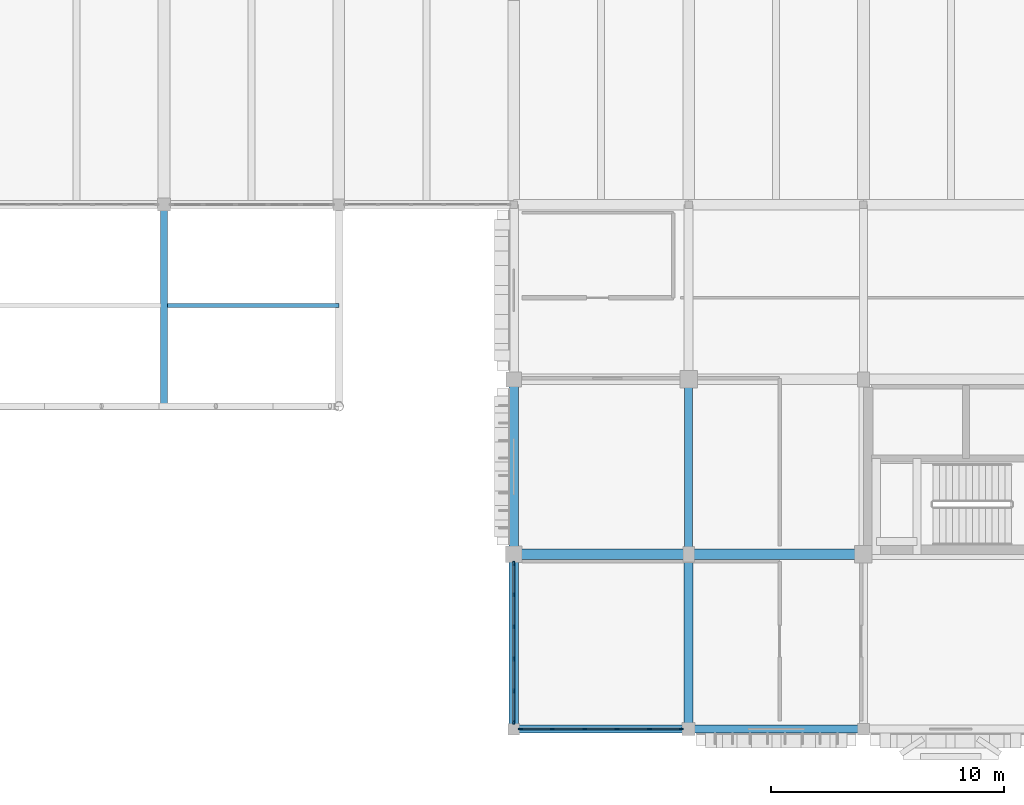
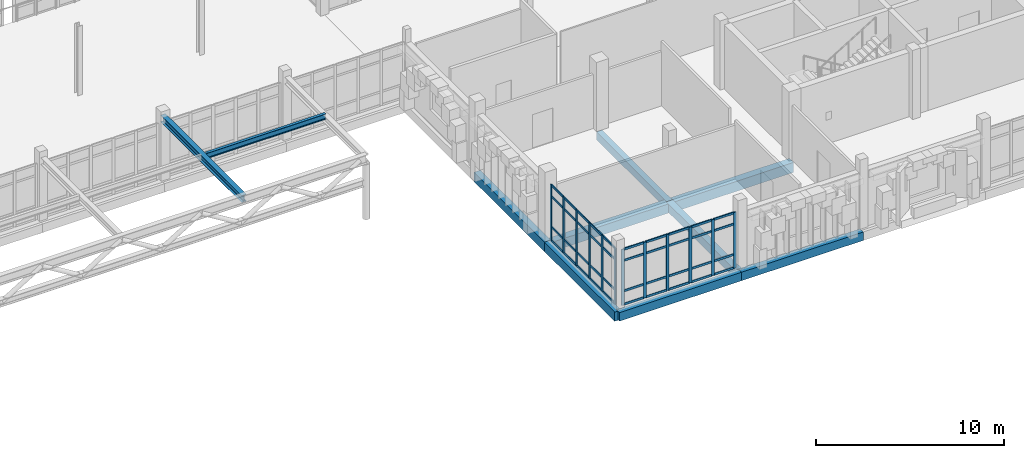
# One storey, part 30 of 128: 52 members, 10 beams, 2 elements without a shape of their own.
"""IFC4 building model written with IfcOpenShell, lengths in metres."""

from ifc_helpers import new_model, si_unit, direction, frame, origin, origin_2d, place, context, subcontext, project, spatial, rectangle, i_section, extrude, material, layer, layer_set, material_profile, profile_set, type_object, element, aggregate, save


model = new_model("IFC4")

# Units and contexts
model_context = context("Model", 3, precision=1e-05, world=origin(), true_north=direction((0.0, 1.0)))
body_context = subcontext(model_context, "Body", "Model", "MODEL_VIEW")
ifc_project = project(units=[si_unit("LENGTHUNIT", "METRE"), si_unit("AREAUNIT", "SQUARE_METRE"), si_unit("VOLUMEUNIT", "CUBIC_METRE"), si_unit("PLANEANGLEUNIT", "RADIAN"), si_unit("MASSUNIT", "GRAM", prefix="KILO")], contexts=[model_context])

# Site, building, storey
site_placement = place(None, origin())
site = spatial("IfcSite", under=ifc_project, at=site_placement, CompositionType="ELEMENT")
building_placement = place(site_placement, origin())
building = spatial("IfcBuilding", under=site, at=building_placement, Name="Dalvernix Boulevard General Hospital", CompositionType="ELEMENT")
storey_placement = place(building_placement, frame((0.0, 0.0, 4.800048828125)))
storey = spatial("IfcBuildingStorey", under=building, at=storey_placement, Name="L01", CompositionType="ELEMENT", Elevation=4.800048828125)

# Beams
ifc_material_1 = material(Name="Concrete C35/45", Category="concrete")
ifc_material_profile_1 = material_profile(ifc_material_1, rectangle(XDim=0.449951171875, YDim=0.64990234375, at=origin_2d()), Name="RCB 450x650")
ifc_profile_set_1 = profile_set([ifc_material_profile_1], Name="Concrete C35/45")
beam_type_1 = type_object("IfcBeamType", Name="BM-B-03-I", PredefinedType="BEAM", material=ifc_profile_set_1)
beam_1_placement = place(storey_placement, frame((120.0, 7.5, -0.625), z_axis=(1.0, 0.0, 0.0), x_axis=(0.0, 1.0, 0.0)))
element("IfcBeam", 1, at=beam_1_placement, inside=storey, type_object=beam_type_1, Name="L01 E-W girder B:17-18", PredefinedType="BEAM", context=body_context, shape_type="SweptSolid", body=[
    extrude(rectangle(XDim=0.449951171875, YDim=0.64990234375, at=origin_2d()), origin(), (0.0, 0.0, 1.0), 7.5),
])
ifc_material_profile_2 = material_profile(ifc_material_1, rectangle(XDim=0.449951171875, YDim=0.60009765625, at=origin_2d()), Name="RCB 450x600")
ifc_profile_set_2 = profile_set([ifc_material_profile_2], Name="Concrete C35/45")
beam_type_2 = type_object("IfcBeamType", Name="BM-B-04-I", PredefinedType="BEAM", material=ifc_profile_set_2)
beam_2_placement = place(storey_placement, frame((112.5, 7.5, -0.60009765625), z_axis=(1.0, 0.0, 0.0), x_axis=(0.0, 1.0, 0.0)))
element("IfcBeam", 2, at=beam_2_placement, inside=storey, type_object=beam_type_2, Name="L01 E-W girder B:16-17", PredefinedType="BEAM", context=body_context, shape_type="SweptSolid", body=[
    extrude(rectangle(XDim=0.449951171875, YDim=0.60009765625, at=origin_2d()), origin(), (0.0, 0.0, 1.0), 7.5),
])
ifc_material_profile_3 = material_profile(ifc_material_1, rectangle(XDim=0.39990234375, YDim=0.550048828125, at=origin_2d()), Name="RCB 400x550")
ifc_profile_set_3 = profile_set([ifc_material_profile_3], Name="Concrete C35/45")
beam_type_3 = type_object("IfcBeamType", Name="BM-B-06-I", PredefinedType="BEAM", material=ifc_profile_set_3)
beam_3_placement = place(storey_placement, frame((120.0, 0.0, -0.574951171875), z_axis=(0.0, 1.0, 0.0), x_axis=(-1.0, 0.0, 0.0)))
element("IfcBeam", 3, at=beam_3_placement, inside=storey, type_object=beam_type_3, Name="L01 N-S girder 17:A-B", PredefinedType="BEAM", context=body_context, shape_type="SweptSolid", body=[
    extrude(rectangle(XDim=0.39990234375, YDim=0.550048828125, at=origin_2d()), origin(), (0.0, 0.0, 1.0), 7.5),
])
ifc_material_profile_4 = material_profile(ifc_material_1, rectangle(XDim=0.35009765625, YDim=0.5, at=origin_2d()), Name="RCB 350x500")
ifc_profile_set_4 = profile_set([ifc_material_profile_4], Name="Concrete C35/45")
beam_type_4 = type_object("IfcBeamType", Name="BM-B-08-I", PredefinedType="BEAM", material=ifc_profile_set_4)
beam_4_placement = place(storey_placement, frame((120.0, 7.5, -0.550048828125), z_axis=(0.0, 1.0, 0.0), x_axis=(-1.0, 0.0, 0.0)))
element("IfcBeam", 4, at=beam_4_placement, inside=storey, type_object=beam_type_4, Name="L01 N-S girder 17:B-C", PredefinedType="BEAM", context=body_context, shape_type="SweptSolid", body=[
    extrude(rectangle(XDim=0.35009765625, YDim=0.5, at=origin_2d()), origin(), (0.0, 0.0, 1.0), 7.5),
])
ifc_material_2 = material(Name="Steel S355", Category="steel")
ifc_material_profile_5 = material_profile(ifc_material_2, i_section(OverallWidth=0.300048828125, OverallDepth=0.449951171875, WebThickness=0.013916015625, FlangeThickness=0.02587890625, FilletRadius=0.027099609375, at=origin_2d()), Name="HEB 450")
ifc_profile_set_5 = profile_set([ifc_material_profile_5], Name="Steel S355")
beam_type_5 = type_object("IfcBeamType", Name="BM-RB-03", PredefinedType="BEAM", material=ifc_profile_set_5)
beam_5_placement = place(storey_placement, frame((97.5, 22.5, 3.8798828125), z_axis=(0.0, -1.0, 0.0), x_axis=(1.0, 0.0, 0.0)))
element("IfcBeam", 5, at=beam_5_placement, inside=storey, type_object=beam_type_5, Name="Porte-cochere canopy girder 5", PredefinedType="BEAM", context=body_context, shape_type="SweptSolid", body=[
    extrude(i_section(OverallWidth=0.300048828125, OverallDepth=0.449951171875, WebThickness=0.013916015625, FlangeThickness=0.02587890625, FilletRadius=0.027099609375, at=origin_2d()), origin(), (0.0, 0.0, 1.0), 8.64990234375),
])
ifc_material_profile_6 = material_profile(ifc_material_2, i_section(OverallWidth=0.169921875, OverallDepth=0.360107421875, WebThickness=0.008056640625, FlangeThickness=0.0126953125, FilletRadius=0.01806640625, at=origin_2d()), Name="IPE 360")
ifc_profile_set_6 = profile_set([ifc_material_profile_6], Name="Steel S355")
beam_type_6 = type_object("IfcBeamType", Name="BM-RB-08", PredefinedType="BEAM", material=ifc_profile_set_6)
beam_6_placement = place(storey_placement, frame((97.64208984375, 18.179931640625, 4.0), z_axis=(1.0, 0.0, 0.0), x_axis=(0.0, 1.0, 0.0)))
element("IfcBeam", 6, at=beam_6_placement, inside=storey, type_object=beam_type_6, Name="Porte-cochere canopy purlin 5", PredefinedType="BEAM", context=body_context, shape_type="SweptSolid", body=[
    extrude(i_section(OverallWidth=0.169921875, OverallDepth=0.360107421875, WebThickness=0.008056640625, FlangeThickness=0.0126953125, FilletRadius=0.01806640625, at=origin_2d()), origin(), (0.0, 0.0, 1.0), 7.35791015625),
])
ifc_material_profile_7 = material_profile(ifc_material_1, rectangle(XDim=0.35009765625, YDim=0.550048828125, at=origin_2d()), Name="RCB 350x550")
ifc_profile_set_7 = profile_set([ifc_material_profile_7], Name="Concrete C35/45")
beam_type_7 = type_object("IfcBeamType", Name="BM-SB-01-E", PredefinedType="SPANDREL", material=ifc_profile_set_7)
for number, where, z_axis, x_axis, name in (
    (7, (112.5, 0.0, -0.574951171875), (1.0, 0.0, 0.0), (0.0, 1.0, 0.0), "L01 E-W girder A:16-17"),
    (8, (120.0, 0.0, -0.574951171875), (1.0, 0.0, 0.0), (0.0, 1.0, 0.0), "L01 E-W girder A:17-18"),
):
    element("IfcBeam", number, at=place(storey_placement, frame(where, z_axis=z_axis, x_axis=x_axis)), inside=storey, type_object=beam_type_7, Name=name, PredefinedType="SPANDREL", context=body_context, shape_type="SweptSolid", body=[
        extrude(rectangle(XDim=0.35009765625, YDim=0.550048828125, at=origin_2d()), origin(), (0.0, 0.0, 1.0), 7.5),
    ])
ifc_material_profile_8 = material_profile(ifc_material_1, rectangle(XDim=0.39990234375, YDim=0.60009765625, at=origin_2d()), Name="RCB 400x600")
ifc_profile_set_8 = profile_set([ifc_material_profile_8], Name="Concrete C35/45")
beam_type_8 = type_object("IfcBeamType", Name="BM-SB-02-E", PredefinedType="SPANDREL", material=ifc_profile_set_8)
for number, where, z_axis, x_axis, name in (
    (9, (112.5, 0.0, -0.60009765625), (0.0, 1.0, 0.0), (-1.0, 0.0, 0.0), "L01 N-S girder 16:A-B"),
    (10, (112.5, 7.5, -0.60009765625), (0.0, 1.0, 0.0), (-1.0, 0.0, 0.0), "L01 N-S girder 16:B-C"),
):
    element("IfcBeam", number, at=place(storey_placement, frame(where, z_axis=z_axis, x_axis=x_axis)), inside=storey, type_object=beam_type_8, Name=name, PredefinedType="SPANDREL", context=body_context, shape_type="SweptSolid", body=[
        extrude(rectangle(XDim=0.39990234375, YDim=0.60009765625, at=origin_2d()), origin(), (0.0, 0.0, 1.0), 7.5),
    ])

# Curtain wall, members
ifc_material_3 = material(Name="Thermally broken aluminium and solar-control glass curtain wall", Category="aluminium")
ifc_layer_1 = layer(ifc_material_3, 0.179931640625)
ifc_layer_set_1 = layer_set([ifc_layer_1], Name="Thermally broken aluminium and solar-control glass curtain wall (CW-CW-B-70x36)")
curtain_wall_type_1 = type_object("IfcCurtainWallType", Name="CW-CW-B-70x36", PredefinedType="USERDEFINED", material=ifc_layer_set_1)
curtain_wall_1_placement = place(storey_placement, origin())
curtain_wall_1 = element("IfcCurtainWall", 11, at=curtain_wall_1_placement, inside=storey, type_object=curtain_wall_type_1, Name="L01 curtain wall CW-B-70x36 15-0", ObjectType="GLAZED FACADE", PredefinedType="USERDEFINED")
ifc_material_4 = material(Name="Aluminium EN AW-6060", Category="aluminium")
ifc_material_profile_9 = material_profile(ifc_material_4, rectangle(XDim=0.06494140625, YDim=0.179931640625, at=origin_2d()), Name="ALU MULL 65x180")
ifc_profile_set_9 = profile_set([ifc_material_profile_9], Name="Aluminium EN AW-6060")
member_type_1 = type_object("IfcMemberType", Name="MEM-CW-M2", PredefinedType="MULLION", material=ifc_profile_set_9)
member_1_placement = place(storey_placement, frame((119.6826171875, 0.0, 0.0), z_axis=(0.0, 0.0, 1.0), x_axis=(0.0, -1.0, 0.0)))
member_1 = element("IfcMember", 12, at=member_1_placement, type_object=member_type_1, Name="CW-B-70x36 mullion 1", PredefinedType="MULLION", context=body_context, shape_type="SweptSolid", body=[
    extrude(rectangle(XDim=0.06494140625, YDim=0.179931640625, at=origin_2d()), origin(), (0.0, 0.0, 1.0), 3.6298828125),
])
member_2_placement = place(storey_placement, frame((118.323974609375, 0.0, 0.0), z_axis=(0.0, 0.0, 1.0), x_axis=(0.0, -1.0, 0.0)))
member_2 = element("IfcMember", 13, at=member_2_placement, type_object=member_type_1, Name="CW-B-70x36 mullion 2", PredefinedType="MULLION", context=body_context, shape_type="SweptSolid", body=[
    extrude(rectangle(XDim=0.06494140625, YDim=0.179931640625, at=origin_2d()), origin(), (0.0, 0.0, 1.0), 3.6298828125),
])
member_3_placement = place(storey_placement, frame((116.93310546875, 0.0, 0.0), z_axis=(0.0, 0.0, 1.0), x_axis=(0.0, -1.0, 0.0)))
member_3 = element("IfcMember", 14, at=member_3_placement, type_object=member_type_1, Name="CW-B-70x36 mullion 3", PredefinedType="MULLION", context=body_context, shape_type="SweptSolid", body=[
    extrude(rectangle(XDim=0.06494140625, YDim=0.179931640625, at=origin_2d()), origin(), (0.0, 0.0, 1.0), 3.6298828125),
])
member_4_placement = place(storey_placement, frame((115.5419921875, 0.0, 0.0), z_axis=(0.0, 0.0, 1.0), x_axis=(0.0, -1.0, 0.0)))
member_4 = element("IfcMember", 15, at=member_4_placement, type_object=member_type_1, Name="CW-B-70x36 mullion 4", PredefinedType="MULLION", context=body_context, shape_type="SweptSolid", body=[
    extrude(rectangle(XDim=0.06494140625, YDim=0.179931640625, at=origin_2d()), origin(), (0.0, 0.0, 1.0), 3.6298828125),
])
member_5_placement = place(storey_placement, frame((114.15087890625, 0.0, 0.0), z_axis=(0.0, 0.0, 1.0), x_axis=(0.0, -1.0, 0.0)))
member_5 = element("IfcMember", 16, at=member_5_placement, type_object=member_type_1, Name="CW-B-70x36 mullion 5", PredefinedType="MULLION", context=body_context, shape_type="SweptSolid", body=[
    extrude(rectangle(XDim=0.06494140625, YDim=0.179931640625, at=origin_2d()), origin(), (0.0, 0.0, 1.0), 3.6298828125),
])
member_6_placement = place(storey_placement, frame((112.79248046875, 0.0, 0.0), z_axis=(0.0, 0.0, 1.0), x_axis=(0.0, -1.0, 0.0)))
member_6 = element("IfcMember", 17, at=member_6_placement, type_object=member_type_1, Name="CW-B-70x36 mullion 6", PredefinedType="MULLION", context=body_context, shape_type="SweptSolid", body=[
    extrude(rectangle(XDim=0.06494140625, YDim=0.179931640625, at=origin_2d()), origin(), (0.0, 0.0, 1.0), 3.6298828125),
])

ifc_layer_2 = layer(ifc_material_3, 0.179931640625)
ifc_layer_set_2 = layer_set([ifc_layer_2], Name="Thermally broken aluminium and solar-control glass curtain wall (CW-CW-B-69x36)")
curtain_wall_type_2 = type_object("IfcCurtainWallType", Name="CW-CW-B-69x36", PredefinedType="USERDEFINED", material=ifc_layer_set_2)
curtain_wall_2_placement = place(storey_placement, origin())
curtain_wall_2 = element("IfcCurtainWall", 18, at=curtain_wall_2_placement, inside=storey, type_object=curtain_wall_type_2, Name="L01 curtain wall CW-B-69x36 15-0", ObjectType="GLAZED FACADE", PredefinedType="USERDEFINED")
member_7_placement = place(storey_placement, frame((112.5, 0.29248046875, 0.0), z_axis=(0.0, 0.0, 1.0), x_axis=(-1.0, 0.0, 0.0)))
member_7 = element("IfcMember", 19, at=member_7_placement, type_object=member_type_1, Name="CW-B-69x36 mullion 1", PredefinedType="MULLION", context=body_context, shape_type="SweptSolid", body=[
    extrude(rectangle(XDim=0.06494140625, YDim=0.179931640625, at=origin_2d()), origin(), (0.0, 0.0, 1.0), 3.6298828125),
])
member_8_placement = place(storey_placement, frame((112.5, 1.635986328125, 0.0), z_axis=(0.0, 0.0, 1.0), x_axis=(-1.0, 0.0, 0.0)))
member_8 = element("IfcMember", 20, at=member_8_placement, type_object=member_type_1, Name="CW-B-69x36 mullion 2", PredefinedType="MULLION", context=body_context, shape_type="SweptSolid", body=[
    extrude(rectangle(XDim=0.06494140625, YDim=0.179931640625, at=origin_2d()), origin(), (0.0, 0.0, 1.0), 3.6298828125),
])
member_9_placement = place(storey_placement, frame((112.5, 3.011962890625, 0.0), z_axis=(0.0, 0.0, 1.0), x_axis=(-1.0, 0.0, 0.0)))
member_9 = element("IfcMember", 21, at=member_9_placement, type_object=member_type_1, Name="CW-B-69x36 mullion 3", PredefinedType="MULLION", context=body_context, shape_type="SweptSolid", body=[
    extrude(rectangle(XDim=0.06494140625, YDim=0.179931640625, at=origin_2d()), origin(), (0.0, 0.0, 1.0), 3.6298828125),
])
member_10_placement = place(storey_placement, frame((112.5, 4.387939453125, 0.0), z_axis=(0.0, 0.0, 1.0), x_axis=(-1.0, 0.0, 0.0)))
member_10 = element("IfcMember", 22, at=member_10_placement, type_object=member_type_1, Name="CW-B-69x36 mullion 4", PredefinedType="MULLION", context=body_context, shape_type="SweptSolid", body=[
    extrude(rectangle(XDim=0.06494140625, YDim=0.179931640625, at=origin_2d()), origin(), (0.0, 0.0, 1.0), 3.6298828125),
])
member_11_placement = place(storey_placement, frame((112.5, 5.763916015625, 0.0), z_axis=(0.0, 0.0, 1.0), x_axis=(-1.0, 0.0, 0.0)))
member_11 = element("IfcMember", 23, at=member_11_placement, type_object=member_type_1, Name="CW-B-69x36 mullion 5", PredefinedType="MULLION", context=body_context, shape_type="SweptSolid", body=[
    extrude(rectangle(XDim=0.06494140625, YDim=0.179931640625, at=origin_2d()), origin(), (0.0, 0.0, 1.0), 3.6298828125),
])
member_12_placement = place(storey_placement, frame((112.5, 7.107421875, 0.0), z_axis=(0.0, 0.0, 1.0), x_axis=(-1.0, 0.0, 0.0)))
member_12 = element("IfcMember", 24, at=member_12_placement, type_object=member_type_1, Name="CW-B-69x36 mullion 6", PredefinedType="MULLION", context=body_context, shape_type="SweptSolid", body=[
    extrude(rectangle(XDim=0.06494140625, YDim=0.179931640625, at=origin_2d()), origin(), (0.0, 0.0, 1.0), 3.6298828125),
])

# Member
ifc_material_profile_10 = material_profile(ifc_material_4, rectangle(XDim=0.06494140625, YDim=0.139892578125, at=origin_2d()), Name="ALU TRAN 65x140")
ifc_profile_set_10 = profile_set([ifc_material_profile_10], Name="Aluminium EN AW-6060")
member_type_2 = type_object("IfcMemberType", Name="MEM-CW-T2", PredefinedType="USERDEFINED", material=ifc_profile_set_10)
member_13_placement = place(storey_placement, frame((119.64990234375, 0.0, 0.032470703125), z_axis=(-1.0, 0.0, 0.0), x_axis=(0.0, -1.0, 0.0)))
member_13 = element("IfcMember", 25, at=member_13_placement, type_object=member_type_2, Name="CW-B-70x36 transom 1.1", ObjectType="TRANSOM", PredefinedType="USERDEFINED", context=body_context, shape_type="SweptSolid", body=[
    extrude(rectangle(XDim=0.06494140625, YDim=0.139892578125, at=origin_2d()), origin(), (0.0, 0.0, 1.0), 1.29345703125),
])

member_14_placement = place(storey_placement, frame((119.64990234375, 0.0, 0.89990234375), z_axis=(-1.0, 0.0, 0.0), x_axis=(0.0, -1.0, 0.0)))
member_14 = element("IfcMember", 26, at=member_14_placement, type_object=member_type_2, Name="CW-B-70x36 transom 1.2", ObjectType="TRANSOM", PredefinedType="USERDEFINED", context=body_context, shape_type="SweptSolid", body=[
    extrude(rectangle(XDim=0.06494140625, YDim=0.139892578125, at=origin_2d()), origin(), (0.0, 0.0, 1.0), 1.29345703125),
])

member_15_placement = place(storey_placement, frame((119.64990234375, 0.0, 2.8798828125), z_axis=(-1.0, 0.0, 0.0), x_axis=(0.0, -1.0, 0.0)))
member_15 = element("IfcMember", 27, at=member_15_placement, type_object=member_type_2, Name="CW-B-70x36 transom 1.3", ObjectType="TRANSOM", PredefinedType="USERDEFINED", context=body_context, shape_type="SweptSolid", body=[
    extrude(rectangle(XDim=0.06494140625, YDim=0.139892578125, at=origin_2d()), origin(), (0.0, 0.0, 1.0), 1.29345703125),
])

member_16_placement = place(storey_placement, frame((119.64990234375, 0.0, 3.597412109375), z_axis=(-1.0, 0.0, 0.0), x_axis=(0.0, -1.0, 0.0)))
member_16 = element("IfcMember", 28, at=member_16_placement, type_object=member_type_2, Name="CW-B-70x36 transom 1.4", ObjectType="TRANSOM", PredefinedType="USERDEFINED", context=body_context, shape_type="SweptSolid", body=[
    extrude(rectangle(XDim=0.06494140625, YDim=0.139892578125, at=origin_2d()), origin(), (0.0, 0.0, 1.0), 1.29345703125),
])

member_17_placement = place(storey_placement, frame((118.29150390625, 0.0, 0.032470703125), z_axis=(-1.0, 0.0, 0.0), x_axis=(0.0, -1.0, 0.0)))
member_17 = element("IfcMember", 29, at=member_17_placement, type_object=member_type_2, Name="CW-B-70x36 transom 2.1", ObjectType="TRANSOM", PredefinedType="USERDEFINED", context=body_context, shape_type="SweptSolid", body=[
    extrude(rectangle(XDim=0.06494140625, YDim=0.139892578125, at=origin_2d()), origin(), (0.0, 0.0, 1.0), 1.325927734375),
])

member_18_placement = place(storey_placement, frame((118.29150390625, 0.0, 0.89990234375), z_axis=(-1.0, 0.0, 0.0), x_axis=(0.0, -1.0, 0.0)))
member_18 = element("IfcMember", 30, at=member_18_placement, type_object=member_type_2, Name="CW-B-70x36 transom 2.2", ObjectType="TRANSOM", PredefinedType="USERDEFINED", context=body_context, shape_type="SweptSolid", body=[
    extrude(rectangle(XDim=0.06494140625, YDim=0.139892578125, at=origin_2d()), origin(), (0.0, 0.0, 1.0), 1.325927734375),
])

member_19_placement = place(storey_placement, frame((118.29150390625, 0.0, 2.8798828125), z_axis=(-1.0, 0.0, 0.0), x_axis=(0.0, -1.0, 0.0)))
member_19 = element("IfcMember", 31, at=member_19_placement, type_object=member_type_2, Name="CW-B-70x36 transom 2.3", ObjectType="TRANSOM", PredefinedType="USERDEFINED", context=body_context, shape_type="SweptSolid", body=[
    extrude(rectangle(XDim=0.06494140625, YDim=0.139892578125, at=origin_2d()), origin(), (0.0, 0.0, 1.0), 1.325927734375),
])

member_20_placement = place(storey_placement, frame((118.29150390625, 0.0, 3.597412109375), z_axis=(-1.0, 0.0, 0.0), x_axis=(0.0, -1.0, 0.0)))
member_20 = element("IfcMember", 32, at=member_20_placement, type_object=member_type_2, Name="CW-B-70x36 transom 2.4", ObjectType="TRANSOM", PredefinedType="USERDEFINED", context=body_context, shape_type="SweptSolid", body=[
    extrude(rectangle(XDim=0.06494140625, YDim=0.139892578125, at=origin_2d()), origin(), (0.0, 0.0, 1.0), 1.325927734375),
])

member_21_placement = place(storey_placement, frame((116.900390625, 0.0, 0.032470703125), z_axis=(-1.0, 0.0, 0.0), x_axis=(0.0, -1.0, 0.0)))
member_21 = element("IfcMember", 33, at=member_21_placement, type_object=member_type_2, Name="CW-B-70x36 transom 3.1", ObjectType="TRANSOM", PredefinedType="USERDEFINED", context=body_context, shape_type="SweptSolid", body=[
    extrude(rectangle(XDim=0.06494140625, YDim=0.139892578125, at=origin_2d()), origin(), (0.0, 0.0, 1.0), 1.325927734375),
])

member_22_placement = place(storey_placement, frame((116.900390625, 0.0, 0.89990234375), z_axis=(-1.0, 0.0, 0.0), x_axis=(0.0, -1.0, 0.0)))
member_22 = element("IfcMember", 34, at=member_22_placement, type_object=member_type_2, Name="CW-B-70x36 transom 3.2", ObjectType="TRANSOM", PredefinedType="USERDEFINED", context=body_context, shape_type="SweptSolid", body=[
    extrude(rectangle(XDim=0.06494140625, YDim=0.139892578125, at=origin_2d()), origin(), (0.0, 0.0, 1.0), 1.325927734375),
])

member_23_placement = place(storey_placement, frame((116.900390625, 0.0, 2.8798828125), z_axis=(-1.0, 0.0, 0.0), x_axis=(0.0, -1.0, 0.0)))
member_23 = element("IfcMember", 35, at=member_23_placement, type_object=member_type_2, Name="CW-B-70x36 transom 3.3", ObjectType="TRANSOM", PredefinedType="USERDEFINED", context=body_context, shape_type="SweptSolid", body=[
    extrude(rectangle(XDim=0.06494140625, YDim=0.139892578125, at=origin_2d()), origin(), (0.0, 0.0, 1.0), 1.325927734375),
])

member_24_placement = place(storey_placement, frame((116.900390625, 0.0, 3.597412109375), z_axis=(-1.0, 0.0, 0.0), x_axis=(0.0, -1.0, 0.0)))
member_24 = element("IfcMember", 36, at=member_24_placement, type_object=member_type_2, Name="CW-B-70x36 transom 3.4", ObjectType="TRANSOM", PredefinedType="USERDEFINED", context=body_context, shape_type="SweptSolid", body=[
    extrude(rectangle(XDim=0.06494140625, YDim=0.139892578125, at=origin_2d()), origin(), (0.0, 0.0, 1.0), 1.325927734375),
])

member_25_placement = place(storey_placement, frame((115.509521484375, 0.0, 0.032470703125), z_axis=(-1.0, 0.0, 0.0), x_axis=(0.0, -1.0, 0.0)))
member_25 = element("IfcMember", 37, at=member_25_placement, type_object=member_type_2, Name="CW-B-70x36 transom 4.1", ObjectType="TRANSOM", PredefinedType="USERDEFINED", context=body_context, shape_type="SweptSolid", body=[
    extrude(rectangle(XDim=0.06494140625, YDim=0.139892578125, at=origin_2d()), origin(), (0.0, 0.0, 1.0), 1.325927734375),
])

member_26_placement = place(storey_placement, frame((115.509521484375, 0.0, 0.89990234375), z_axis=(-1.0, 0.0, 0.0), x_axis=(0.0, -1.0, 0.0)))
member_26 = element("IfcMember", 38, at=member_26_placement, type_object=member_type_2, Name="CW-B-70x36 transom 4.2", ObjectType="TRANSOM", PredefinedType="USERDEFINED", context=body_context, shape_type="SweptSolid", body=[
    extrude(rectangle(XDim=0.06494140625, YDim=0.139892578125, at=origin_2d()), origin(), (0.0, 0.0, 1.0), 1.325927734375),
])

member_27_placement = place(storey_placement, frame((115.509521484375, 0.0, 2.8798828125), z_axis=(-1.0, 0.0, 0.0), x_axis=(0.0, -1.0, 0.0)))
member_27 = element("IfcMember", 39, at=member_27_placement, type_object=member_type_2, Name="CW-B-70x36 transom 4.3", ObjectType="TRANSOM", PredefinedType="USERDEFINED", context=body_context, shape_type="SweptSolid", body=[
    extrude(rectangle(XDim=0.06494140625, YDim=0.139892578125, at=origin_2d()), origin(), (0.0, 0.0, 1.0), 1.325927734375),
])

member_28_placement = place(storey_placement, frame((115.509521484375, 0.0, 3.597412109375), z_axis=(-1.0, 0.0, 0.0), x_axis=(0.0, -1.0, 0.0)))
member_28 = element("IfcMember", 40, at=member_28_placement, type_object=member_type_2, Name="CW-B-70x36 transom 4.4", ObjectType="TRANSOM", PredefinedType="USERDEFINED", context=body_context, shape_type="SweptSolid", body=[
    extrude(rectangle(XDim=0.06494140625, YDim=0.139892578125, at=origin_2d()), origin(), (0.0, 0.0, 1.0), 1.325927734375),
])

member_29_placement = place(storey_placement, frame((114.118408203125, 0.0, 0.032470703125), z_axis=(-1.0, 0.0, 0.0), x_axis=(0.0, -1.0, 0.0)))
member_29 = element("IfcMember", 41, at=member_29_placement, type_object=member_type_2, Name="CW-B-70x36 transom 5.1", ObjectType="TRANSOM", PredefinedType="USERDEFINED", context=body_context, shape_type="SweptSolid", body=[
    extrude(rectangle(XDim=0.06494140625, YDim=0.139892578125, at=origin_2d()), origin(), (0.0, 0.0, 1.0), 1.29345703125),
])

member_30_placement = place(storey_placement, frame((114.118408203125, 0.0, 0.89990234375), z_axis=(-1.0, 0.0, 0.0), x_axis=(0.0, -1.0, 0.0)))
member_30 = element("IfcMember", 42, at=member_30_placement, type_object=member_type_2, Name="CW-B-70x36 transom 5.2", ObjectType="TRANSOM", PredefinedType="USERDEFINED", context=body_context, shape_type="SweptSolid", body=[
    extrude(rectangle(XDim=0.06494140625, YDim=0.139892578125, at=origin_2d()), origin(), (0.0, 0.0, 1.0), 1.29345703125),
])

member_31_placement = place(storey_placement, frame((114.118408203125, 0.0, 2.8798828125), z_axis=(-1.0, 0.0, 0.0), x_axis=(0.0, -1.0, 0.0)))
member_31 = element("IfcMember", 43, at=member_31_placement, type_object=member_type_2, Name="CW-B-70x36 transom 5.3", ObjectType="TRANSOM", PredefinedType="USERDEFINED", context=body_context, shape_type="SweptSolid", body=[
    extrude(rectangle(XDim=0.06494140625, YDim=0.139892578125, at=origin_2d()), origin(), (0.0, 0.0, 1.0), 1.29345703125),
])

member_32_placement = place(storey_placement, frame((114.118408203125, 0.0, 3.597412109375), z_axis=(-1.0, 0.0, 0.0), x_axis=(0.0, -1.0, 0.0)))
member_32 = element("IfcMember", 44, at=member_32_placement, type_object=member_type_2, Name="CW-B-70x36 transom 5.4", ObjectType="TRANSOM", PredefinedType="USERDEFINED", context=body_context, shape_type="SweptSolid", body=[
    extrude(rectangle(XDim=0.06494140625, YDim=0.139892578125, at=origin_2d()), origin(), (0.0, 0.0, 1.0), 1.29345703125),
])

aggregate(curtain_wall_1, [member_1, member_2, member_3, member_4, member_5, member_6, member_13, member_14, member_15, member_16, member_17, member_18, member_19, member_20, member_21, member_22, member_23, member_24, member_25, member_26, member_27, member_28, member_29, member_30, member_31, member_32])

member_33_placement = place(storey_placement, frame((112.5, 0.324951171875, 0.032470703125), z_axis=(0.0, 1.0, 0.0), x_axis=(-1.0, 0.0, 0.0)))
member_33 = element("IfcMember", 45, at=member_33_placement, type_object=member_type_2, Name="CW-B-69x36 transom 1.1", ObjectType="TRANSOM", PredefinedType="USERDEFINED", context=body_context, shape_type="SweptSolid", body=[
    extrude(rectangle(XDim=0.06494140625, YDim=0.139892578125, at=origin_2d()), origin(), (0.0, 0.0, 1.0), 1.278564453125),
])

member_34_placement = place(storey_placement, frame((112.5, 0.324951171875, 0.89990234375), z_axis=(0.0, 1.0, 0.0), x_axis=(-1.0, 0.0, 0.0)))
member_34 = element("IfcMember", 46, at=member_34_placement, type_object=member_type_2, Name="CW-B-69x36 transom 1.2", ObjectType="TRANSOM", PredefinedType="USERDEFINED", context=body_context, shape_type="SweptSolid", body=[
    extrude(rectangle(XDim=0.06494140625, YDim=0.139892578125, at=origin_2d()), origin(), (0.0, 0.0, 1.0), 1.278564453125),
])

member_35_placement = place(storey_placement, frame((112.5, 0.324951171875, 2.8798828125), z_axis=(0.0, 1.0, 0.0), x_axis=(-1.0, 0.0, 0.0)))
member_35 = element("IfcMember", 47, at=member_35_placement, type_object=member_type_2, Name="CW-B-69x36 transom 1.3", ObjectType="TRANSOM", PredefinedType="USERDEFINED", context=body_context, shape_type="SweptSolid", body=[
    extrude(rectangle(XDim=0.06494140625, YDim=0.139892578125, at=origin_2d()), origin(), (0.0, 0.0, 1.0), 1.278564453125),
])

member_36_placement = place(storey_placement, frame((112.5, 0.324951171875, 3.597412109375), z_axis=(0.0, 1.0, 0.0), x_axis=(-1.0, 0.0, 0.0)))
member_36 = element("IfcMember", 48, at=member_36_placement, type_object=member_type_2, Name="CW-B-69x36 transom 1.4", ObjectType="TRANSOM", PredefinedType="USERDEFINED", context=body_context, shape_type="SweptSolid", body=[
    extrude(rectangle(XDim=0.06494140625, YDim=0.139892578125, at=origin_2d()), origin(), (0.0, 0.0, 1.0), 1.278564453125),
])

member_37_placement = place(storey_placement, frame((112.5, 1.66845703125, 0.032470703125), z_axis=(0.0, 1.0, 0.0), x_axis=(-1.0, 0.0, 0.0)))
member_37 = element("IfcMember", 49, at=member_37_placement, type_object=member_type_2, Name="CW-B-69x36 transom 2.1", ObjectType="TRANSOM", PredefinedType="USERDEFINED", context=body_context, shape_type="SweptSolid", body=[
    extrude(rectangle(XDim=0.06494140625, YDim=0.139892578125, at=origin_2d()), origin(), (0.0, 0.0, 1.0), 1.31103515625),
])

member_38_placement = place(storey_placement, frame((112.5, 1.66845703125, 0.89990234375), z_axis=(0.0, 1.0, 0.0), x_axis=(-1.0, 0.0, 0.0)))
member_38 = element("IfcMember", 50, at=member_38_placement, type_object=member_type_2, Name="CW-B-69x36 transom 2.2", ObjectType="TRANSOM", PredefinedType="USERDEFINED", context=body_context, shape_type="SweptSolid", body=[
    extrude(rectangle(XDim=0.06494140625, YDim=0.139892578125, at=origin_2d()), origin(), (0.0, 0.0, 1.0), 1.31103515625),
])

member_39_placement = place(storey_placement, frame((112.5, 1.66845703125, 2.8798828125), z_axis=(0.0, 1.0, 0.0), x_axis=(-1.0, 0.0, 0.0)))
member_39 = element("IfcMember", 51, at=member_39_placement, type_object=member_type_2, Name="CW-B-69x36 transom 2.3", ObjectType="TRANSOM", PredefinedType="USERDEFINED", context=body_context, shape_type="SweptSolid", body=[
    extrude(rectangle(XDim=0.06494140625, YDim=0.139892578125, at=origin_2d()), origin(), (0.0, 0.0, 1.0), 1.31103515625),
])

member_40_placement = place(storey_placement, frame((112.5, 1.66845703125, 3.597412109375), z_axis=(0.0, 1.0, 0.0), x_axis=(-1.0, 0.0, 0.0)))
member_40 = element("IfcMember", 52, at=member_40_placement, type_object=member_type_2, Name="CW-B-69x36 transom 2.4", ObjectType="TRANSOM", PredefinedType="USERDEFINED", context=body_context, shape_type="SweptSolid", body=[
    extrude(rectangle(XDim=0.06494140625, YDim=0.139892578125, at=origin_2d()), origin(), (0.0, 0.0, 1.0), 1.31103515625),
])

member_41_placement = place(storey_placement, frame((112.5, 3.04443359375, 0.032470703125), z_axis=(0.0, 1.0, 0.0), x_axis=(-1.0, 0.0, 0.0)))
member_41 = element("IfcMember", 53, at=member_41_placement, type_object=member_type_2, Name="CW-B-69x36 transom 3.1", ObjectType="TRANSOM", PredefinedType="USERDEFINED", context=body_context, shape_type="SweptSolid", body=[
    extrude(rectangle(XDim=0.06494140625, YDim=0.139892578125, at=origin_2d()), origin(), (0.0, 0.0, 1.0), 1.31103515625),
])

member_42_placement = place(storey_placement, frame((112.5, 3.04443359375, 0.89990234375), z_axis=(0.0, 1.0, 0.0), x_axis=(-1.0, 0.0, 0.0)))
member_42 = element("IfcMember", 54, at=member_42_placement, type_object=member_type_2, Name="CW-B-69x36 transom 3.2", ObjectType="TRANSOM", PredefinedType="USERDEFINED", context=body_context, shape_type="SweptSolid", body=[
    extrude(rectangle(XDim=0.06494140625, YDim=0.139892578125, at=origin_2d()), origin(), (0.0, 0.0, 1.0), 1.31103515625),
])

member_43_placement = place(storey_placement, frame((112.5, 3.04443359375, 2.8798828125), z_axis=(0.0, 1.0, 0.0), x_axis=(-1.0, 0.0, 0.0)))
member_43 = element("IfcMember", 55, at=member_43_placement, type_object=member_type_2, Name="CW-B-69x36 transom 3.3", ObjectType="TRANSOM", PredefinedType="USERDEFINED", context=body_context, shape_type="SweptSolid", body=[
    extrude(rectangle(XDim=0.06494140625, YDim=0.139892578125, at=origin_2d()), origin(), (0.0, 0.0, 1.0), 1.31103515625),
])

member_44_placement = place(storey_placement, frame((112.5, 3.04443359375, 3.597412109375), z_axis=(0.0, 1.0, 0.0), x_axis=(-1.0, 0.0, 0.0)))
member_44 = element("IfcMember", 56, at=member_44_placement, type_object=member_type_2, Name="CW-B-69x36 transom 3.4", ObjectType="TRANSOM", PredefinedType="USERDEFINED", context=body_context, shape_type="SweptSolid", body=[
    extrude(rectangle(XDim=0.06494140625, YDim=0.139892578125, at=origin_2d()), origin(), (0.0, 0.0, 1.0), 1.31103515625),
])

member_45_placement = place(storey_placement, frame((112.5, 4.42041015625, 0.032470703125), z_axis=(0.0, 1.0, 0.0), x_axis=(-1.0, 0.0, 0.0)))
member_45 = element("IfcMember", 57, at=member_45_placement, type_object=member_type_2, Name="CW-B-69x36 transom 4.1", ObjectType="TRANSOM", PredefinedType="USERDEFINED", context=body_context, shape_type="SweptSolid", body=[
    extrude(rectangle(XDim=0.06494140625, YDim=0.139892578125, at=origin_2d()), origin(), (0.0, 0.0, 1.0), 1.31103515625),
])

member_46_placement = place(storey_placement, frame((112.5, 4.42041015625, 0.89990234375), z_axis=(0.0, 1.0, 0.0), x_axis=(-1.0, 0.0, 0.0)))
member_46 = element("IfcMember", 58, at=member_46_placement, type_object=member_type_2, Name="CW-B-69x36 transom 4.2", ObjectType="TRANSOM", PredefinedType="USERDEFINED", context=body_context, shape_type="SweptSolid", body=[
    extrude(rectangle(XDim=0.06494140625, YDim=0.139892578125, at=origin_2d()), origin(), (0.0, 0.0, 1.0), 1.31103515625),
])

member_47_placement = place(storey_placement, frame((112.5, 4.42041015625, 2.8798828125), z_axis=(0.0, 1.0, 0.0), x_axis=(-1.0, 0.0, 0.0)))
member_47 = element("IfcMember", 59, at=member_47_placement, type_object=member_type_2, Name="CW-B-69x36 transom 4.3", ObjectType="TRANSOM", PredefinedType="USERDEFINED", context=body_context, shape_type="SweptSolid", body=[
    extrude(rectangle(XDim=0.06494140625, YDim=0.139892578125, at=origin_2d()), origin(), (0.0, 0.0, 1.0), 1.31103515625),
])

member_48_placement = place(storey_placement, frame((112.5, 4.42041015625, 3.597412109375), z_axis=(0.0, 1.0, 0.0), x_axis=(-1.0, 0.0, 0.0)))
member_48 = element("IfcMember", 60, at=member_48_placement, type_object=member_type_2, Name="CW-B-69x36 transom 4.4", ObjectType="TRANSOM", PredefinedType="USERDEFINED", context=body_context, shape_type="SweptSolid", body=[
    extrude(rectangle(XDim=0.06494140625, YDim=0.139892578125, at=origin_2d()), origin(), (0.0, 0.0, 1.0), 1.31103515625),
])

member_49_placement = place(storey_placement, frame((112.5, 5.79638671875, 0.032470703125), z_axis=(0.0, 1.0, 0.0), x_axis=(-1.0, 0.0, 0.0)))
member_49 = element("IfcMember", 61, at=member_49_placement, type_object=member_type_2, Name="CW-B-69x36 transom 5.1", ObjectType="TRANSOM", PredefinedType="USERDEFINED", context=body_context, shape_type="SweptSolid", body=[
    extrude(rectangle(XDim=0.06494140625, YDim=0.139892578125, at=origin_2d()), origin(), (0.0, 0.0, 1.0), 1.278564453125),
])

member_50_placement = place(storey_placement, frame((112.5, 5.79638671875, 0.89990234375), z_axis=(0.0, 1.0, 0.0), x_axis=(-1.0, 0.0, 0.0)))
member_50 = element("IfcMember", 62, at=member_50_placement, type_object=member_type_2, Name="CW-B-69x36 transom 5.2", ObjectType="TRANSOM", PredefinedType="USERDEFINED", context=body_context, shape_type="SweptSolid", body=[
    extrude(rectangle(XDim=0.06494140625, YDim=0.139892578125, at=origin_2d()), origin(), (0.0, 0.0, 1.0), 1.278564453125),
])

member_51_placement = place(storey_placement, frame((112.5, 5.79638671875, 2.8798828125), z_axis=(0.0, 1.0, 0.0), x_axis=(-1.0, 0.0, 0.0)))
member_51 = element("IfcMember", 63, at=member_51_placement, type_object=member_type_2, Name="CW-B-69x36 transom 5.3", ObjectType="TRANSOM", PredefinedType="USERDEFINED", context=body_context, shape_type="SweptSolid", body=[
    extrude(rectangle(XDim=0.06494140625, YDim=0.139892578125, at=origin_2d()), origin(), (0.0, 0.0, 1.0), 1.278564453125),
])

member_52_placement = place(storey_placement, frame((112.5, 5.79638671875, 3.597412109375), z_axis=(0.0, 1.0, 0.0), x_axis=(-1.0, 0.0, 0.0)))
member_52 = element("IfcMember", 64, at=member_52_placement, type_object=member_type_2, Name="CW-B-69x36 transom 5.4", ObjectType="TRANSOM", PredefinedType="USERDEFINED", context=body_context, shape_type="SweptSolid", body=[
    extrude(rectangle(XDim=0.06494140625, YDim=0.139892578125, at=origin_2d()), origin(), (0.0, 0.0, 1.0), 1.278564453125),
])

aggregate(curtain_wall_2, [member_7, member_8, member_9, member_10, member_11, member_12, member_33, member_34, member_35, member_36, member_37, member_38, member_39, member_40, member_41, member_42, member_43, member_44, member_45, member_46, member_47, member_48, member_49, member_50, member_51, member_52])

save(model, "model.ifc")
